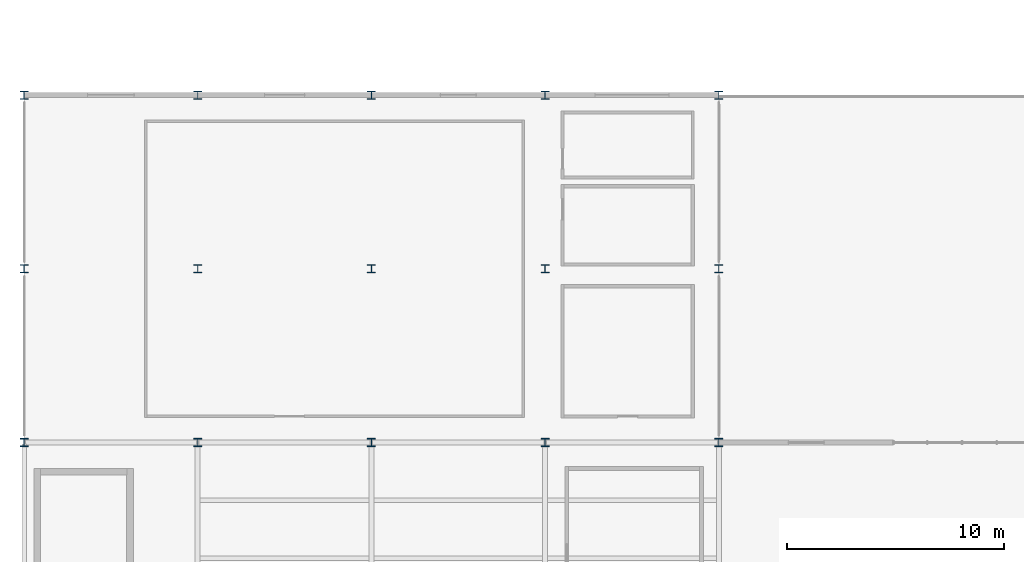
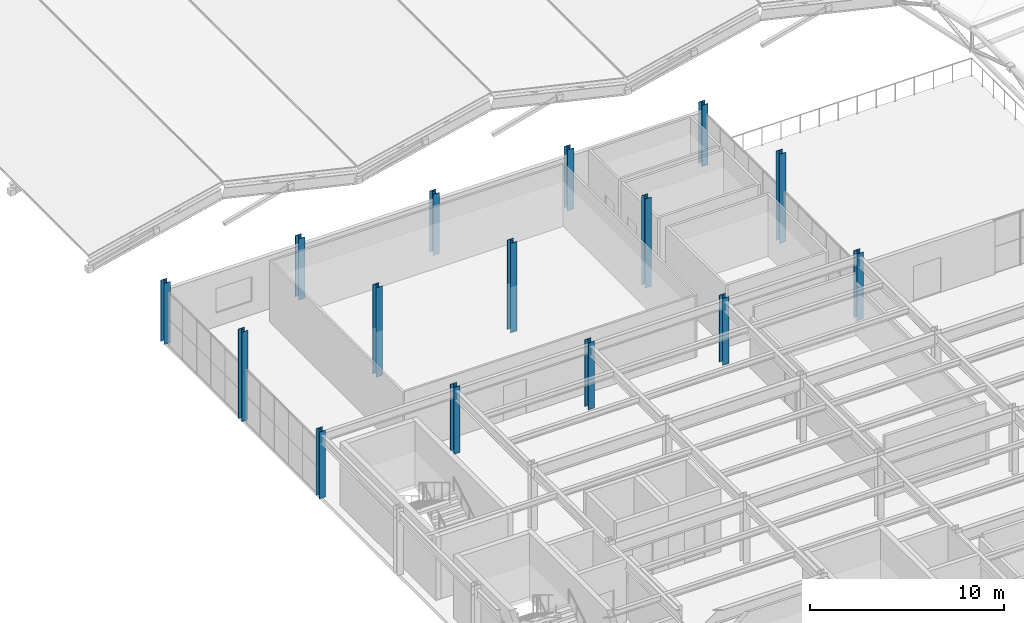
# One storey, part 2 of 67: 15 columns.
"""IFC4 building model written with IfcOpenShell, lengths in metres."""

import ifcopenshell
import ifcopenshell.guid

model = None  # the IFC model being written
_history = None  # IfcOwnerHistory: only IFC2X3 demands one
_inside = {}  # id of a spatial element -> (the spatial element, [elements in it])
_under = {}  # id of a project, library or spatial element -> (it, [spatial elements below it])
_declared = {}  # id of a project -> (the project, [libraries it declares])
_typed = {}  # id of a type object -> (the type object, [elements of that type])
_made_of = {}  # id of a material, layer set ... -> (it, [elements and type objects made of it])


def new_model(schema):
    """Start an empty IFC model of exactly this schema.

    Asked for "IFC4X3", IfcOpenShell would pick the latest addendum, in which some entities
    have other attributes; the version numbers below select the first issue.
    IFC2X3 requires an IfcOwnerHistory on every rooted entity: one is made here for all.
    """
    global model, _history
    if schema == "IFC4X3":
        model = ifcopenshell.file(schema_version=(4, 3, 0, 0))
    else:
        model = ifcopenshell.file(schema=schema)
    _inside.clear()
    _under.clear()
    _declared.clear()
    _typed.clear()
    _made_of.clear()
    _history = None
    if model.schema == "IFC2X3":
        org = make("IfcOrganization", Name="unknown")
        user = make(
            "IfcPersonAndOrganization",
            ThePerson=make("IfcPerson", FamilyName="unknown"),
            TheOrganization=org,
        )
        app = make(
            "IfcApplication",
            ApplicationDeveloper=org,
            Version="unknown",
            ApplicationFullName="unknown",
            ApplicationIdentifier="unknown",
        )
        _history = make(
            "IfcOwnerHistory",
            OwningUser=user,
            OwningApplication=app,
            ChangeAction="ADDED",
            CreationDate=0,
        )
    return model


def make(cls, **values):
    """One entity of the class cls with the attributes given. An attribute that is None is left unset."""
    return model.create_entity(
        cls, **{name: value for name, value in values.items() if value is not None}
    )


def rooted(cls, **values):
    """An entity with a GlobalId (a new one), such as an element, a storey or a relation."""
    return make(cls, GlobalId=ifcopenshell.guid.new(), OwnerHistory=_history, **values)


def si_unit(unit_type, name, prefix=None):
    """IfcSIUnit, for example si_unit("LENGTHUNIT", "METRE", prefix="MILLI")."""
    return make("IfcSIUnit", UnitType=unit_type, Prefix=prefix, Name=name)


def assignment(units):
    """IfcUnitAssignment: the units of a project."""
    return None if units is None else make("IfcUnitAssignment", Units=units)


def point(xyz):
    """IfcCartesianPoint."""
    return None if xyz is None else make("IfcCartesianPoint", Coordinates=xyz)


def direction(xyz):
    """IfcDirection."""
    return None if xyz is None else make("IfcDirection", DirectionRatios=xyz)


def frame(location, z_axis=None, x_axis=None):
    """IfcAxis2Placement3D, a coordinate frame: its origin and axes. An axis left out is left unset."""
    return make(
        "IfcAxis2Placement3D",
        Location=point(location),
        Axis=direction(z_axis),
        RefDirection=direction(x_axis),
    )


def frame_2d(location, x_axis=None):
    """IfcAxis2Placement2D, a coordinate frame in the plane: its origin and x axis."""
    return make(
        "IfcAxis2Placement2D", Location=point(location), RefDirection=direction(x_axis)
    )


def origin():
    """The frame at (0, 0, 0) with its axes left unset."""
    return frame((0.0, 0.0, 0.0))


def origin_2d():
    """The frame at (0, 0) in the plane with its x axis left unset."""
    return frame_2d((0.0, 0.0))


def place(relative_to, where):
    """IfcLocalPlacement: puts the frame where relative to a parent placement (None: the world)."""
    return make(
        "IfcLocalPlacement", PlacementRelTo=relative_to, RelativePlacement=where
    )


def context(
    kind, dimensions, precision=None, world=None, true_north=None, identifier=None
):
    """IfcGeometricRepresentationContext, for example the 3D "Model" context."""
    return make(
        "IfcGeometricRepresentationContext",
        ContextIdentifier=identifier,
        ContextType=kind,
        CoordinateSpaceDimension=dimensions,
        Precision=precision,
        WorldCoordinateSystem=world,
        TrueNorth=true_north,
    )


def subcontext(parent, identifier, kind, view, scale=None):
    """IfcGeometricRepresentationSubContext, for example "Body" below "Model"."""
    return make(
        "IfcGeometricRepresentationSubContext",
        ContextIdentifier=identifier,
        ContextType=kind,
        ParentContext=parent,
        TargetScale=scale,
        TargetView=view,
    )


def project(units=None, contexts=None):
    """IfcProject with its units and contexts."""
    return rooted(
        "IfcProject",
        Name="project",
        RepresentationContexts=contexts,
        UnitsInContext=assignment(units),
    )


def spatial(cls, under=None, at=None, **own):
    """A site, building, storey or space (cls), placed at a placement, below another one or the project."""
    s = rooted(cls, ObjectPlacement=at, **own)
    if under is not None:
        _under.setdefault(under.id(), (under, []))[1].append(s)
    return s


def profile(cls, at=None, kind="AREA", **sizes):
    """A parametric profile (cls). Its sizes go by their IFC names, for example OverallWidth=200.0."""
    return make(cls, ProfileType=kind, Position=at, **sizes)


def i_section(**sizes):
    """IfcIShapeProfileDef."""
    return profile("IfcIShapeProfileDef", **sizes)


def extrude(swept, where, along, depth):
    """IfcExtrudedAreaSolid: the profile swept, set in the frame where, extruded along a direction by depth."""
    return make(
        "IfcExtrudedAreaSolid",
        SweptArea=swept,
        Position=where,
        ExtrudedDirection=direction(along),
        Depth=depth,
    )


def shape(context_of_items, identifier, shape_type, items):
    """IfcShapeRepresentation: the items that make up one representation, for example the "Body"."""
    return make(
        "IfcShapeRepresentation",
        ContextOfItems=context_of_items,
        RepresentationIdentifier=identifier,
        RepresentationType=shape_type,
        Items=items,
    )


def material(Name=None, Category=None):
    """IfcMaterial."""
    return make("IfcMaterial", Name=Name, Category=Category)


def material_profile(
    of_material, cross_section, Name=None, Category=None, Priority=None
):
    """IfcMaterialProfile: a cross section and its material."""
    return make(
        "IfcMaterialProfile",
        Name=Name,
        Material=of_material,
        Profile=cross_section,
        Priority=Priority,
        Category=Category,
    )


def profile_set(profiles, Name=None, composite=None):
    """IfcMaterialProfileSet."""
    return make(
        "IfcMaterialProfileSet",
        Name=Name,
        MaterialProfiles=profiles,
        CompositeProfile=composite,
    )


def made_of(thing, what):
    """Note that an element or type object is made of a material, layer set ...; save() writes the relation."""
    if what is not None:
        _made_of.setdefault(what.id(), (what, []))[1].append(thing)
    return thing


def type_object(cls, material=None, **own):
    """A type object (cls), such as IfcWallType, which elements share."""
    return made_of(rooted(cls, **own), material)


def element(
    cls,
    number,
    at=None,
    inside=None,
    cuts=None,
    type_object=None,
    material=None,
    context=None,
    identifier="Body",
    shape_type=None,
    held_by="IfcProductDefinitionShape",
    body=None,
    shapes=None,
    **own,
):
    """One element of the class cls, such as IfcWall. Its Tag is "e" and its number.

    at: its placement. inside: the storey or other place that contains it. cuts: it is an
    opening in that element (IfcRelVoidsElement). A single representation is given by context,
    identifier, shape_type and body (its items); several are given by shapes. held_by: the class
    of the entity that holds the representations. save() writes the other relations.
    """
    e = rooted(cls, Tag="e%d" % number, ObjectPlacement=at, **own)
    if body is not None:
        shapes = [shape(context, identifier, shape_type, body)]
    if shapes is not None:
        e.Representation = make(held_by, Representations=shapes)
    if inside is not None:
        _inside.setdefault(inside.id(), (inside, []))[1].append(e)
    if cuts is not None:
        rooted(
            "IfcRelVoidsElement", RelatingBuildingElement=cuts, RelatedOpeningElement=e
        )
    if type_object is not None:
        _typed.setdefault(type_object.id(), (type_object, []))[1].append(e)
    return made_of(e, material)


def aggregate(whole, parts):
    """IfcRelAggregates: a whole, such as a stair, and the parts it consists of."""
    return rooted("IfcRelAggregates", RelatingObject=whole, RelatedObjects=parts)


def save(model, path):
    """Write the relations noted so far, then the file.

    IfcRelAggregates (storeys below a building ...), IfcRelContainedInSpatialStructure (elements
    in a storey), IfcRelDefinesByType, IfcRelAssociatesMaterial and IfcRelDeclares: one each for
    every whole, place, type object, material and project.
    """
    for whole, parts in _under.values():
        aggregate(whole, parts)
    for where, things in _inside.values():
        rooted(
            "IfcRelContainedInSpatialStructure",
            RelatedElements=things,
            RelatingStructure=where,
        )
    for kind, things in _typed.values():
        rooted("IfcRelDefinesByType", RelatedObjects=things, RelatingType=kind)
    for what, things in _made_of.values():
        rooted("IfcRelAssociatesMaterial", RelatedObjects=things, RelatingMaterial=what)
    for by, libraries in _declared.values():
        rooted("IfcRelDeclares", RelatingContext=by, RelatedDefinitions=libraries)
    model.write(path)


model = new_model("IFC4")

# Units and contexts
model_context = context("Model", 3, precision=1e-05, world=origin(), true_north=direction((0.0, 1.0)))
body_context = subcontext(model_context, "Body", "Model", "MODEL_VIEW")
ifc_project = project(units=[si_unit("LENGTHUNIT", "METRE"), si_unit("AREAUNIT", "SQUARE_METRE"), si_unit("VOLUMEUNIT", "CUBIC_METRE"), si_unit("PLANEANGLEUNIT", "RADIAN"), si_unit("MASSUNIT", "GRAM", prefix="KILO")], contexts=[model_context])

# Site, building, storey
site_placement = place(None, origin())
site = spatial("IfcSite", under=ifc_project, at=site_placement, CompositionType="ELEMENT")
building_placement = place(site_placement, origin())
building = spatial("IfcBuilding", under=site, at=building_placement, Name="Drelvath Fold Interchange", CompositionType="ELEMENT")
storey_placement = place(building_placement, frame((0.0, 0.0, 15.60009765625)))
storey = spatial("IfcBuildingStorey", under=building, at=storey_placement, Name="L03", CompositionType="ELEMENT", Elevation=15.60009765625)

# Columns
ifc_material = material(Name="Steel ASTM A992 Grade 50", Category="steel")
ifc_material_profile = material_profile(ifc_material, i_section(OverallWidth=0.3740234375, OverallDepth=0.3720703125, WebThickness=0.016357421875, FlangeThickness=0.026123046875, at=origin_2d()), Name="W14X132")
ifc_profile_set = profile_set([ifc_material_profile], Name="Steel ASTM A992 Grade 50")
column_type = type_object("IfcColumnType", Name="COL-W14X132", PredefinedType="COLUMN", material=ifc_profile_set)
column_1_placement = place(storey_placement, frame((4.0, 35.0, 0.0), z_axis=(0.0, 0.0, 1.0), x_axis=(1.0, 0.0, 0.0)))
element("IfcColumn", 1, at=column_1_placement, inside=storey, type_object=column_type, Name="L03 column (4,35)", PredefinedType="COLUMN", context=body_context, shape_type="SweptSolid", body=[
    extrude(i_section(OverallWidth=0.3740234375, OverallDepth=0.3720703125, WebThickness=0.016357421875, FlangeThickness=0.026123046875, at=origin_2d()), origin(), (0.0, 0.0, 1.0), 4.199951171875),
])
column_2_placement = place(storey_placement, frame((4.0, 43.0, 0.0), z_axis=(0.0, 0.0, 1.0), x_axis=(1.0, 0.0, 0.0)))
element("IfcColumn", 2, at=column_2_placement, inside=storey, type_object=column_type, Name="L03 column (4,43)", PredefinedType="COLUMN", context=body_context, shape_type="SweptSolid", body=[
    extrude(i_section(OverallWidth=0.3740234375, OverallDepth=0.3720703125, WebThickness=0.016357421875, FlangeThickness=0.026123046875, at=origin_2d()), origin(), (0.0, 0.0, 1.0), 5.619873046875),
])
column_3_placement = place(storey_placement, frame((4.0, 51.0, 0.0), z_axis=(0.0, 0.0, 1.0), x_axis=(1.0, 0.0, 0.0)))
element("IfcColumn", 3, at=column_3_placement, inside=storey, type_object=column_type, Name="L03 column (4,51)", PredefinedType="COLUMN", context=body_context, shape_type="SweptSolid", body=[
    extrude(i_section(OverallWidth=0.3740234375, OverallDepth=0.3720703125, WebThickness=0.016357421875, FlangeThickness=0.026123046875, at=origin_2d()), origin(), (0.0, 0.0, 1.0), 3.849853515625),
])
column_4_placement = place(storey_placement, frame((12.0, 35.0, 0.0), z_axis=(0.0, 0.0, 1.0), x_axis=(1.0, 0.0, 0.0)))
element("IfcColumn", 4, at=column_4_placement, inside=storey, type_object=column_type, Name="L03 column (12,35)", PredefinedType="COLUMN", context=body_context, shape_type="SweptSolid", body=[
    extrude(i_section(OverallWidth=0.3740234375, OverallDepth=0.3720703125, WebThickness=0.016357421875, FlangeThickness=0.026123046875, at=origin_2d()), origin(), (0.0, 0.0, 1.0), 4.199951171875),
])
column_5_placement = place(storey_placement, frame((12.0, 43.0, 0.0), z_axis=(0.0, 0.0, 1.0), x_axis=(1.0, 0.0, 0.0)))
element("IfcColumn", 5, at=column_5_placement, inside=storey, type_object=column_type, Name="L03 column (12,43)", PredefinedType="COLUMN", context=body_context, shape_type="SweptSolid", body=[
    extrude(i_section(OverallWidth=0.3740234375, OverallDepth=0.3720703125, WebThickness=0.016357421875, FlangeThickness=0.026123046875, at=origin_2d()), origin(), (0.0, 0.0, 1.0), 5.619873046875),
])
column_6_placement = place(storey_placement, frame((12.0, 51.0, 0.0), z_axis=(0.0, 0.0, 1.0), x_axis=(1.0, 0.0, 0.0)))
element("IfcColumn", 6, at=column_6_placement, inside=storey, type_object=column_type, Name="L03 column (12,51)", PredefinedType="COLUMN", context=body_context, shape_type="SweptSolid", body=[
    extrude(i_section(OverallWidth=0.3740234375, OverallDepth=0.3720703125, WebThickness=0.016357421875, FlangeThickness=0.026123046875, at=origin_2d()), origin(), (0.0, 0.0, 1.0), 3.849853515625),
])
column_7_placement = place(storey_placement, frame((20.0, 35.0, 0.0), z_axis=(0.0, 0.0, 1.0), x_axis=(1.0, 0.0, 0.0)))
element("IfcColumn", 7, at=column_7_placement, inside=storey, type_object=column_type, Name="L03 column (20,35)", PredefinedType="COLUMN", context=body_context, shape_type="SweptSolid", body=[
    extrude(i_section(OverallWidth=0.3740234375, OverallDepth=0.3720703125, WebThickness=0.016357421875, FlangeThickness=0.026123046875, at=origin_2d()), origin(), (0.0, 0.0, 1.0), 4.199951171875),
])
column_8_placement = place(storey_placement, frame((20.0, 43.0, 0.0), z_axis=(0.0, 0.0, 1.0), x_axis=(1.0, 0.0, 0.0)))
element("IfcColumn", 8, at=column_8_placement, inside=storey, type_object=column_type, Name="L03 column (20,43)", PredefinedType="COLUMN", context=body_context, shape_type="SweptSolid", body=[
    extrude(i_section(OverallWidth=0.3740234375, OverallDepth=0.3720703125, WebThickness=0.016357421875, FlangeThickness=0.026123046875, at=origin_2d()), origin(), (0.0, 0.0, 1.0), 5.619873046875),
])
column_9_placement = place(storey_placement, frame((20.0, 51.0, 0.0), z_axis=(0.0, 0.0, 1.0), x_axis=(1.0, 0.0, 0.0)))
element("IfcColumn", 9, at=column_9_placement, inside=storey, type_object=column_type, Name="L03 column (20,51)", PredefinedType="COLUMN", context=body_context, shape_type="SweptSolid", body=[
    extrude(i_section(OverallWidth=0.3740234375, OverallDepth=0.3720703125, WebThickness=0.016357421875, FlangeThickness=0.026123046875, at=origin_2d()), origin(), (0.0, 0.0, 1.0), 3.849853515625),
])
column_10_placement = place(storey_placement, frame((28.0, 35.0, 0.0), z_axis=(0.0, 0.0, 1.0), x_axis=(1.0, 0.0, 0.0)))
element("IfcColumn", 10, at=column_10_placement, inside=storey, type_object=column_type, Name="L03 column (28,35)", PredefinedType="COLUMN", context=body_context, shape_type="SweptSolid", body=[
    extrude(i_section(OverallWidth=0.3740234375, OverallDepth=0.3720703125, WebThickness=0.016357421875, FlangeThickness=0.026123046875, at=origin_2d()), origin(), (0.0, 0.0, 1.0), 4.199951171875),
])
column_11_placement = place(storey_placement, frame((28.0, 43.0, 0.0), z_axis=(0.0, 0.0, 1.0), x_axis=(1.0, 0.0, 0.0)))
element("IfcColumn", 11, at=column_11_placement, inside=storey, type_object=column_type, Name="L03 column (28,43)", PredefinedType="COLUMN", context=body_context, shape_type="SweptSolid", body=[
    extrude(i_section(OverallWidth=0.3740234375, OverallDepth=0.3720703125, WebThickness=0.016357421875, FlangeThickness=0.026123046875, at=origin_2d()), origin(), (0.0, 0.0, 1.0), 5.619873046875),
])
column_12_placement = place(storey_placement, frame((28.0, 51.0, 0.0), z_axis=(0.0, 0.0, 1.0), x_axis=(1.0, 0.0, 0.0)))
element("IfcColumn", 12, at=column_12_placement, inside=storey, type_object=column_type, Name="L03 column (28,51)", PredefinedType="COLUMN", context=body_context, shape_type="SweptSolid", body=[
    extrude(i_section(OverallWidth=0.3740234375, OverallDepth=0.3720703125, WebThickness=0.016357421875, FlangeThickness=0.026123046875, at=origin_2d()), origin(), (0.0, 0.0, 1.0), 3.849853515625),
])
column_13_placement = place(storey_placement, frame((36.0, 35.0, 0.0), z_axis=(0.0, 0.0, 1.0), x_axis=(1.0, 0.0, 0.0)))
element("IfcColumn", 13, at=column_13_placement, inside=storey, type_object=column_type, Name="L03 column (36,35)", PredefinedType="COLUMN", context=body_context, shape_type="SweptSolid", body=[
    extrude(i_section(OverallWidth=0.3740234375, OverallDepth=0.3720703125, WebThickness=0.016357421875, FlangeThickness=0.026123046875, at=origin_2d()), origin(), (0.0, 0.0, 1.0), 4.199951171875),
])
column_14_placement = place(storey_placement, frame((36.0, 43.0, 0.0), z_axis=(0.0, 0.0, 1.0), x_axis=(1.0, 0.0, 0.0)))
element("IfcColumn", 14, at=column_14_placement, inside=storey, type_object=column_type, Name="L03 column (36,43)", PredefinedType="COLUMN", context=body_context, shape_type="SweptSolid", body=[
    extrude(i_section(OverallWidth=0.3740234375, OverallDepth=0.3720703125, WebThickness=0.016357421875, FlangeThickness=0.026123046875, at=origin_2d()), origin(), (0.0, 0.0, 1.0), 5.619873046875),
])
column_15_placement = place(storey_placement, frame((36.0, 51.0, 0.0), z_axis=(0.0, 0.0, 1.0), x_axis=(1.0, 0.0, 0.0)))
element("IfcColumn", 15, at=column_15_placement, inside=storey, type_object=column_type, Name="L03 column (36,51)", PredefinedType="COLUMN", context=body_context, shape_type="SweptSolid", body=[
    extrude(i_section(OverallWidth=0.3740234375, OverallDepth=0.3720703125, WebThickness=0.016357421875, FlangeThickness=0.026123046875, at=origin_2d()), origin(), (0.0, 0.0, 1.0), 3.849853515625),
])

save(model, "model.ifc")
